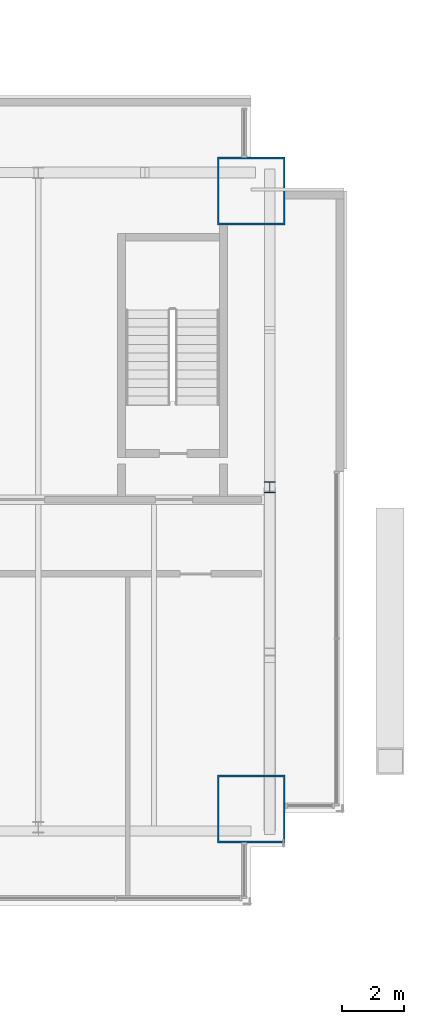
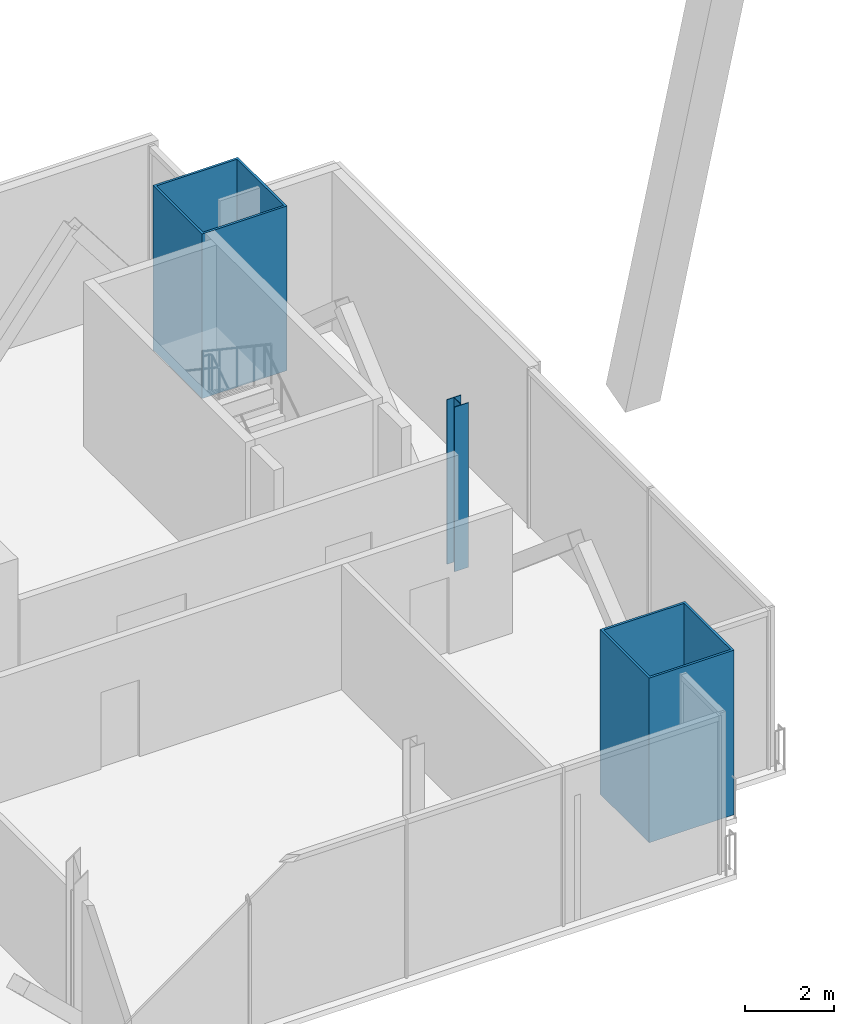
# One storey, part 4 of 22: 3 columns.
"""IFC4 building model written with IfcOpenShell, lengths in metres."""

from ifc_helpers import new_model, si_unit, direction, frame, origin, origin_2d, place, context, subcontext, project, spatial, hollow_rectangle, i_section, extrude, material, material_profile, profile_set, type_object, element, save


model = new_model("IFC4")

# Units and contexts
model_context = context("Model", 3, precision=1e-05, world=origin(), true_north=direction((0.0, 1.0)))
body_context = subcontext(model_context, "Body", "Model", "MODEL_VIEW")
ifc_project = project(units=[si_unit("LENGTHUNIT", "METRE"), si_unit("AREAUNIT", "SQUARE_METRE"), si_unit("VOLUMEUNIT", "CUBIC_METRE"), si_unit("PLANEANGLEUNIT", "RADIAN"), si_unit("MASSUNIT", "GRAM", prefix="KILO")], contexts=[model_context])

# Site, building, storey
site_placement = place(None, origin())
site = spatial("IfcSite", under=ifc_project, at=site_placement, CompositionType="ELEMENT")
building_placement = place(site_placement, origin())
building = spatial("IfcBuilding", under=site, at=building_placement, Name="Bicima Exchange Tower", CompositionType="ELEMENT")
storey_placement = place(building_placement, frame((0.0, 0.0, 315.5)))
storey = spatial("IfcBuildingStorey", under=building, at=storey_placement, Name="L71", CompositionType="ELEMENT", Elevation=315.5)

# Columns
ifc_material_1 = material(Name="Steel ASTM A572 Gr 50", Category="steel")
ifc_material_profile_1 = material_profile(ifc_material_1, hollow_rectangle(XDim=2.199951171875, YDim=2.199951171875, WallThickness=0.06005859375, at=origin_2d()))
ifc_profile_set_1 = profile_set([ifc_material_profile_1], Name="Steel ASTM A572 Gr 50")
column_type_1 = type_object("IfcColumnType", Name="Mega column BOX 2200x2200x60", PredefinedType="COLUMN", material=ifc_profile_set_1)
for number, where, z_axis, x_axis, name in (
    (1, (33.0, -23.01806640625, 0.0), (0.0, 0.0, 1.0), (1.0, 0.0, 0.0), "Mega column mega+33.0f"),
    (2, (33.0, -3.0, 0.0), (0.0, 0.0, 1.0), (1.0, 0.0, 0.0), "Mega column mega+33.0r"),
):
    element("IfcColumn", number, at=place(storey_placement, frame(where, z_axis=z_axis, x_axis=x_axis)), inside=storey, type_object=column_type_1, Name=name, PredefinedType="COLUMN", context=body_context, shape_type="SweptSolid", body=[
        extrude(hollow_rectangle(XDim=2.199951171875, YDim=2.199951171875, WallThickness=0.06005859375, at=origin_2d()), origin(), (0.0, 0.0, 1.0), 4.5),
    ])
ifc_material_2 = material(Name="Steel ASTM A992 Gr 50", Category="steel")
ifc_material_profile_2 = material_profile(ifc_material_2, i_section(OverallWidth=0.368408203125, OverallDepth=0.355712890625, WebThickness=0.01123046875, FlangeThickness=0.01806640625, at=origin_2d()))
ifc_profile_set_2 = profile_set([ifc_material_profile_2], Name="Steel ASTM A992 Gr 50")
column_type_2 = type_object("IfcColumnType", Name="Perimeter column W14x90", PredefinedType="COLUMN", material=ifc_profile_set_2)
column_placement = place(storey_placement, frame((33.60009765625, -12.60009765625, 0.0), z_axis=(0.0, 0.0, 1.0), x_axis=(1.0, 0.0, 0.0)))
element("IfcColumn", 3, at=column_placement, inside=storey, type_object=column_type_2, Name="End column end+33.6e", PredefinedType="COLUMN", context=body_context, shape_type="SweptSolid", body=[
    extrude(i_section(OverallWidth=0.368408203125, OverallDepth=0.355712890625, WebThickness=0.01123046875, FlangeThickness=0.01806640625, at=origin_2d()), origin(), (0.0, 0.0, 1.0), 4.5),
])

save(model, "model.ifc")
